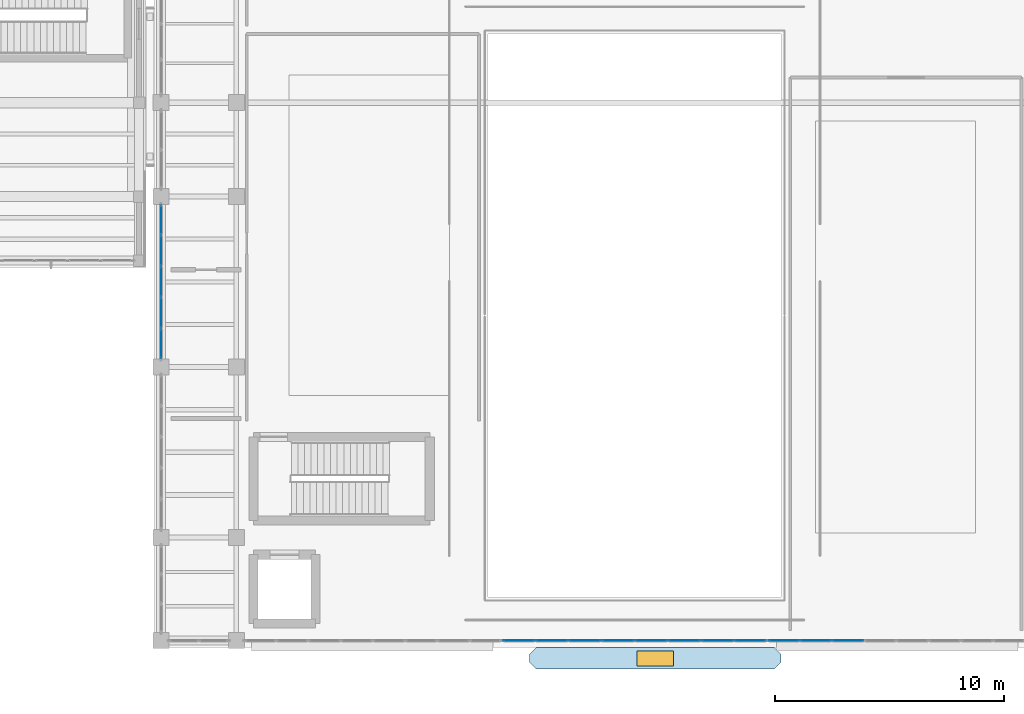
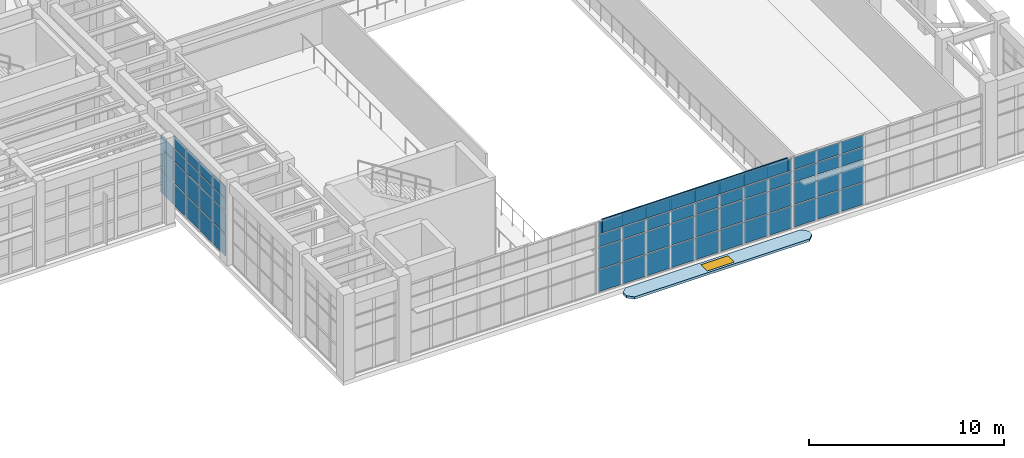
# One storey, part 74 of 103: 64 plates, 1 slab, 1 window, 1 opening, 3 elements without a shape of their own.
"""IFC4 building model written with IfcOpenShell, lengths in metres."""

from ifc_helpers import new_model, si_unit, direction, frame, origin, origin_2d, place, context, subcontext, project, spatial, polyline, rectangle, outline, extrude, material, layer, layer_set, type_object, element, fill, aggregate, save


model = new_model("IFC4")

# Units and contexts
model_context = context("Model", 3, precision=1e-05, world=origin(), true_north=direction((0.0, 1.0)))
body_context = subcontext(model_context, "Body", "Model", "MODEL_VIEW")
ifc_project = project(units=[si_unit("LENGTHUNIT", "METRE"), si_unit("AREAUNIT", "SQUARE_METRE"), si_unit("VOLUMEUNIT", "CUBIC_METRE"), si_unit("PLANEANGLEUNIT", "RADIAN"), si_unit("MASSUNIT", "GRAM", prefix="KILO")], contexts=[model_context])

# Site, building, storey
site_placement = place(None, origin())
site = spatial("IfcSite", under=ifc_project, at=site_placement, CompositionType="ELEMENT")
building_placement = place(site_placement, origin())
building = spatial("IfcBuilding", under=site, at=building_placement, Name="Candilejo Ridge Gondola Terminal", CompositionType="ELEMENT")
storey_placement = place(building_placement, frame((0.0, 0.0, 9.0)))
storey = spatial("IfcBuildingStorey", under=building, at=storey_placement, Name="L02", CompositionType="ELEMENT", Elevation=9.0)

# Curtain wall, plates
ifc_material_1 = material(Name="Anodised aluminium AA 6063-T6", Category="aluminium")
ifc_layer_1 = layer(ifc_material_1, 0.169921875)
ifc_layer_set_1 = layer_set([ifc_layer_1], Name="ARC-CW-HALL-3800-680X449")
curtain_wall_type_1 = type_object("IfcCurtainWallType", Name="ARC-CW-HALL-3800-680X449", PredefinedType="NOTDEFINED", material=ifc_layer_set_1)
curtain_wall_1_placement = place(storey_placement, origin())
curtain_wall_1 = element("IfcCurtainWall", 1, at=curtain_wall_1_placement, inside=storey, type_object=curtain_wall_type_1, Name="Curtain wall V4 L02-135", PredefinedType="NOTDEFINED")
ifc_material_2 = material(Name="Low-E laminated double glazing 6+12A+6+1.52PVB+6 mm", Category="glass")
ifc_layer_2 = layer(ifc_material_2, 0.028076171875)
ifc_layer_set_2 = layer_set([ifc_layer_2], Name="ARC-CW-GLAZ-PANEL")
plate_type_1 = type_object("IfcPlateType", Name="ARC-CW-GLAZ-PANEL", PredefinedType="CURTAIN_PANEL", material=ifc_layer_set_2)
plate_1_placement = place(storey_placement, frame((133.89990234375, 19.271240234375, 0.06005859375), z_axis=(0.0, 0.0, 1.0), x_axis=(0.0, 1.0, 0.0)))
plate_1 = element("IfcPlate", 2, at=plate_1_placement, type_object=plate_type_1, Name="CW-68X44 panel 1.1", PredefinedType="CURTAIN_PANEL", context=body_context, shape_type="SweptSolid", body=[
    extrude(rectangle(XDim=1.262451171875, YDim=0.028076171875, at=origin_2d()), origin(), (0.0, 0.0, 1.0), 1.360107421875),
])
plate_2_placement = place(storey_placement, frame((133.89990234375, 19.271240234375, 1.47998046875), z_axis=(0.0, 0.0, 1.0), x_axis=(0.0, 1.0, 0.0)))
plate_2 = element("IfcPlate", 3, at=plate_2_placement, type_object=plate_type_1, Name="CW-68X44 panel 1.2", PredefinedType="CURTAIN_PANEL", context=body_context, shape_type="SweptSolid", body=[
    extrude(rectangle(XDim=1.262451171875, YDim=0.028076171875, at=origin_2d()), origin(), (0.0, 0.0, 1.0), 1.340087890625),
])
plate_3_placement = place(storey_placement, frame((133.89990234375, 19.271240234375, 2.8798828125), z_axis=(0.0, 0.0, 1.0), x_axis=(0.0, 1.0, 0.0)))
plate_3 = element("IfcPlate", 4, at=plate_3_placement, type_object=plate_type_1, Name="CW-68X44 panel 1.3", PredefinedType="CURTAIN_PANEL", context=body_context, shape_type="SweptSolid", body=[
    extrude(rectangle(XDim=1.262451171875, YDim=0.028076171875, at=origin_2d()), origin(), (0.0, 0.0, 1.0), 0.739990234375),
])
plate_4_placement = place(storey_placement, frame((133.89990234375, 19.271240234375, 3.679931640625), z_axis=(0.0, 0.0, 1.0), x_axis=(0.0, 1.0, 0.0)))
plate_4 = element("IfcPlate", 5, at=plate_4_placement, type_object=plate_type_1, Name="CW-68X44 panel 1.4", PredefinedType="CURTAIN_PANEL", context=body_context, shape_type="SweptSolid", body=[
    extrude(rectangle(XDim=1.262451171875, YDim=0.028076171875, at=origin_2d()), origin(), (0.0, 0.0, 1.0), 0.75),
])
plate_5_placement = place(storey_placement, frame((133.89990234375, 20.614990234375, 0.06005859375), z_axis=(0.0, 0.0, 1.0), x_axis=(0.0, 1.0, 0.0)))
plate_5 = element("IfcPlate", 6, at=plate_5_placement, type_object=plate_type_1, Name="CW-68X44 panel 2.1", PredefinedType="CURTAIN_PANEL", context=body_context, shape_type="SweptSolid", body=[
    extrude(rectangle(XDim=1.294921875, YDim=0.028076171875, at=origin_2d()), origin(), (0.0, 0.0, 1.0), 1.360107421875),
])
plate_6_placement = place(storey_placement, frame((133.89990234375, 20.614990234375, 1.47998046875), z_axis=(0.0, 0.0, 1.0), x_axis=(0.0, 1.0, 0.0)))
plate_6 = element("IfcPlate", 7, at=plate_6_placement, type_object=plate_type_1, Name="CW-68X44 panel 2.2", PredefinedType="CURTAIN_PANEL", context=body_context, shape_type="SweptSolid", body=[
    extrude(rectangle(XDim=1.294921875, YDim=0.028076171875, at=origin_2d()), origin(), (0.0, 0.0, 1.0), 1.340087890625),
])
plate_7_placement = place(storey_placement, frame((133.89990234375, 20.614990234375, 2.8798828125), z_axis=(0.0, 0.0, 1.0), x_axis=(0.0, 1.0, 0.0)))
plate_7 = element("IfcPlate", 8, at=plate_7_placement, type_object=plate_type_1, Name="CW-68X44 panel 2.3", PredefinedType="CURTAIN_PANEL", context=body_context, shape_type="SweptSolid", body=[
    extrude(rectangle(XDim=1.294921875, YDim=0.028076171875, at=origin_2d()), origin(), (0.0, 0.0, 1.0), 0.739990234375),
])
plate_8_placement = place(storey_placement, frame((133.89990234375, 20.614990234375, 3.679931640625), z_axis=(0.0, 0.0, 1.0), x_axis=(0.0, 1.0, 0.0)))
plate_8 = element("IfcPlate", 9, at=plate_8_placement, type_object=plate_type_1, Name="CW-68X44 panel 2.4", PredefinedType="CURTAIN_PANEL", context=body_context, shape_type="SweptSolid", body=[
    extrude(rectangle(XDim=1.294921875, YDim=0.028076171875, at=origin_2d()), origin(), (0.0, 0.0, 1.0), 0.75),
])
plate_9_placement = place(storey_placement, frame((133.89990234375, 21.97509765625, 0.06005859375), z_axis=(0.0, 0.0, 1.0), x_axis=(0.0, 1.0, 0.0)))
plate_9 = element("IfcPlate", 10, at=plate_9_placement, type_object=plate_type_1, Name="CW-68X44 panel 3.1", PredefinedType="CURTAIN_PANEL", context=body_context, shape_type="SweptSolid", body=[
    extrude(rectangle(XDim=1.294921875, YDim=0.028076171875, at=origin_2d()), origin(), (0.0, 0.0, 1.0), 1.360107421875),
])
plate_10_placement = place(storey_placement, frame((133.89990234375, 21.97509765625, 1.47998046875), z_axis=(0.0, 0.0, 1.0), x_axis=(0.0, 1.0, 0.0)))
plate_10 = element("IfcPlate", 11, at=plate_10_placement, type_object=plate_type_1, Name="CW-68X44 panel 3.2", PredefinedType="CURTAIN_PANEL", context=body_context, shape_type="SweptSolid", body=[
    extrude(rectangle(XDim=1.294921875, YDim=0.028076171875, at=origin_2d()), origin(), (0.0, 0.0, 1.0), 1.340087890625),
])
plate_11_placement = place(storey_placement, frame((133.89990234375, 21.97509765625, 2.8798828125), z_axis=(0.0, 0.0, 1.0), x_axis=(0.0, 1.0, 0.0)))
plate_11 = element("IfcPlate", 12, at=plate_11_placement, type_object=plate_type_1, Name="CW-68X44 panel 3.3", PredefinedType="CURTAIN_PANEL", context=body_context, shape_type="SweptSolid", body=[
    extrude(rectangle(XDim=1.294921875, YDim=0.028076171875, at=origin_2d()), origin(), (0.0, 0.0, 1.0), 0.739990234375),
])
plate_12_placement = place(storey_placement, frame((133.89990234375, 21.97509765625, 3.679931640625), z_axis=(0.0, 0.0, 1.0), x_axis=(0.0, 1.0, 0.0)))
plate_12 = element("IfcPlate", 13, at=plate_12_placement, type_object=plate_type_1, Name="CW-68X44 panel 3.4", PredefinedType="CURTAIN_PANEL", context=body_context, shape_type="SweptSolid", body=[
    extrude(rectangle(XDim=1.294921875, YDim=0.028076171875, at=origin_2d()), origin(), (0.0, 0.0, 1.0), 0.75),
])
plate_13_placement = place(storey_placement, frame((133.89990234375, 23.3349609375, 0.06005859375), z_axis=(0.0, 0.0, 1.0), x_axis=(0.0, 1.0, 0.0)))
plate_13 = element("IfcPlate", 14, at=plate_13_placement, type_object=plate_type_1, Name="CW-68X44 panel 4.1", PredefinedType="CURTAIN_PANEL", context=body_context, shape_type="SweptSolid", body=[
    extrude(rectangle(XDim=1.294921875, YDim=0.028076171875, at=origin_2d()), origin(), (0.0, 0.0, 1.0), 1.360107421875),
])
plate_14_placement = place(storey_placement, frame((133.89990234375, 23.3349609375, 1.47998046875), z_axis=(0.0, 0.0, 1.0), x_axis=(0.0, 1.0, 0.0)))
plate_14 = element("IfcPlate", 15, at=plate_14_placement, type_object=plate_type_1, Name="CW-68X44 panel 4.2", PredefinedType="CURTAIN_PANEL", context=body_context, shape_type="SweptSolid", body=[
    extrude(rectangle(XDim=1.294921875, YDim=0.028076171875, at=origin_2d()), origin(), (0.0, 0.0, 1.0), 1.340087890625),
])
plate_15_placement = place(storey_placement, frame((133.89990234375, 23.3349609375, 2.8798828125), z_axis=(0.0, 0.0, 1.0), x_axis=(0.0, 1.0, 0.0)))
plate_15 = element("IfcPlate", 16, at=plate_15_placement, type_object=plate_type_1, Name="CW-68X44 panel 4.3", PredefinedType="CURTAIN_PANEL", context=body_context, shape_type="SweptSolid", body=[
    extrude(rectangle(XDim=1.294921875, YDim=0.028076171875, at=origin_2d()), origin(), (0.0, 0.0, 1.0), 0.739990234375),
])
plate_16_placement = place(storey_placement, frame((133.89990234375, 23.3349609375, 3.679931640625), z_axis=(0.0, 0.0, 1.0), x_axis=(0.0, 1.0, 0.0)))
plate_16 = element("IfcPlate", 17, at=plate_16_placement, type_object=plate_type_1, Name="CW-68X44 panel 4.4", PredefinedType="CURTAIN_PANEL", context=body_context, shape_type="SweptSolid", body=[
    extrude(rectangle(XDim=1.294921875, YDim=0.028076171875, at=origin_2d()), origin(), (0.0, 0.0, 1.0), 0.75),
])
plate_17_placement = place(storey_placement, frame((133.89990234375, 24.6787109375, 0.06005859375), z_axis=(0.0, 0.0, 1.0), x_axis=(0.0, 1.0, 0.0)))
plate_17 = element("IfcPlate", 18, at=plate_17_placement, type_object=plate_type_1, Name="CW-68X44 panel 5.1", PredefinedType="CURTAIN_PANEL", context=body_context, shape_type="SweptSolid", body=[
    extrude(rectangle(XDim=1.262451171875, YDim=0.028076171875, at=origin_2d()), origin(), (0.0, 0.0, 1.0), 1.360107421875),
])
plate_18_placement = place(storey_placement, frame((133.89990234375, 24.6787109375, 1.47998046875), z_axis=(0.0, 0.0, 1.0), x_axis=(0.0, 1.0, 0.0)))
plate_18 = element("IfcPlate", 19, at=plate_18_placement, type_object=plate_type_1, Name="CW-68X44 panel 5.2", PredefinedType="CURTAIN_PANEL", context=body_context, shape_type="SweptSolid", body=[
    extrude(rectangle(XDim=1.262451171875, YDim=0.028076171875, at=origin_2d()), origin(), (0.0, 0.0, 1.0), 1.340087890625),
])
plate_19_placement = place(storey_placement, frame((133.89990234375, 24.6787109375, 2.8798828125), z_axis=(0.0, 0.0, 1.0), x_axis=(0.0, 1.0, 0.0)))
plate_19 = element("IfcPlate", 20, at=plate_19_placement, type_object=plate_type_1, Name="CW-68X44 panel 5.3", PredefinedType="CURTAIN_PANEL", context=body_context, shape_type="SweptSolid", body=[
    extrude(rectangle(XDim=1.262451171875, YDim=0.028076171875, at=origin_2d()), origin(), (0.0, 0.0, 1.0), 0.739990234375),
])
aggregate(curtain_wall_1, [plate_1, plate_2, plate_3, plate_4, plate_5, plate_6, plate_7, plate_8, plate_9, plate_10, plate_11, plate_12, plate_13, plate_14, plate_15, plate_16, plate_17, plate_18, plate_19])

ifc_material_3 = material(Name="Anodised aluminium AA 6063-T6", Category="aluminium")
ifc_layer_3 = layer(ifc_material_3, 0.169921875)
ifc_layer_set_3 = layer_set([ifc_layer_3], Name="ARC-CW-HALL-3800-1160X449")
curtain_wall_type_2 = type_object("IfcCurtainWallType", Name="ARC-CW-HALL-3800-1160X449", PredefinedType="NOTDEFINED", material=ifc_layer_set_3)
curtain_wall_2_placement = place(storey_placement, origin())
curtain_wall_2 = element("IfcCurtainWall", 21, at=curtain_wall_2_placement, inside=storey, type_object=curtain_wall_type_2, Name="Curtain wall V4 L02-147", PredefinedType="NOTDEFINED")
plate_20_placement = place(storey_placement, frame((149.541259765625, 6.300048828125, 0.06005859375), z_axis=(0.0, 0.0, 1.0), x_axis=(1.0, 0.0, 0.0)))
plate_20 = element("IfcPlate", 22, at=plate_20_placement, type_object=plate_type_1, Name="CW-116X44 panel 1.1", PredefinedType="CURTAIN_PANEL", context=body_context, shape_type="SweptSolid", body=[
    extrude(rectangle(XDim=1.3525390625, YDim=0.028076171875, at=origin_2d()), origin(), (0.0, 0.0, 1.0), 1.360107421875),
])
plate_21_placement = place(storey_placement, frame((149.541259765625, 6.300048828125, 1.47998046875), z_axis=(0.0, 0.0, 1.0), x_axis=(1.0, 0.0, 0.0)))
plate_21 = element("IfcPlate", 23, at=plate_21_placement, type_object=plate_type_1, Name="CW-116X44 panel 1.2", PredefinedType="CURTAIN_PANEL", context=body_context, shape_type="SweptSolid", body=[
    extrude(rectangle(XDim=1.3525390625, YDim=0.028076171875, at=origin_2d()), origin(), (0.0, 0.0, 1.0), 1.340087890625),
])
plate_22_placement = place(storey_placement, frame((149.541259765625, 6.300048828125, 2.8798828125), z_axis=(0.0, 0.0, 1.0), x_axis=(1.0, 0.0, 0.0)))
plate_22 = element("IfcPlate", 24, at=plate_22_placement, type_object=plate_type_1, Name="CW-116X44 panel 1.3", PredefinedType="CURTAIN_PANEL", context=body_context, shape_type="SweptSolid", body=[
    extrude(rectangle(XDim=1.3525390625, YDim=0.028076171875, at=origin_2d()), origin(), (0.0, 0.0, 1.0), 0.739990234375),
])
plate_23_placement = place(storey_placement, frame((149.541259765625, 6.300048828125, 3.679931640625), z_axis=(0.0, 0.0, 1.0), x_axis=(1.0, 0.0, 0.0)))
plate_23 = element("IfcPlate", 25, at=plate_23_placement, type_object=plate_type_1, Name="CW-116X44 panel 1.4", PredefinedType="CURTAIN_PANEL", context=body_context, shape_type="SweptSolid", body=[
    extrude(rectangle(XDim=1.3525390625, YDim=0.028076171875, at=origin_2d()), origin(), (0.0, 0.0, 1.0), 0.75),
])
plate_24_placement = place(storey_placement, frame((150.97509765625, 6.300048828125, 0.06005859375), z_axis=(0.0, 0.0, 1.0), x_axis=(1.0, 0.0, 0.0)))
plate_24 = element("IfcPlate", 26, at=plate_24_placement, type_object=plate_type_1, Name="CW-116X44 panel 2.1", PredefinedType="CURTAIN_PANEL", context=body_context, shape_type="SweptSolid", body=[
    extrude(rectangle(XDim=1.385009765625, YDim=0.028076171875, at=origin_2d()), origin(), (0.0, 0.0, 1.0), 1.360107421875),
])
plate_25_placement = place(storey_placement, frame((150.97509765625, 6.300048828125, 1.47998046875), z_axis=(0.0, 0.0, 1.0), x_axis=(1.0, 0.0, 0.0)))
plate_25 = element("IfcPlate", 27, at=plate_25_placement, type_object=plate_type_1, Name="CW-116X44 panel 2.2", PredefinedType="CURTAIN_PANEL", context=body_context, shape_type="SweptSolid", body=[
    extrude(rectangle(XDim=1.385009765625, YDim=0.028076171875, at=origin_2d()), origin(), (0.0, 0.0, 1.0), 1.340087890625),
])
plate_26_placement = place(storey_placement, frame((150.97509765625, 6.300048828125, 2.8798828125), z_axis=(0.0, 0.0, 1.0), x_axis=(1.0, 0.0, 0.0)))
plate_26 = element("IfcPlate", 28, at=plate_26_placement, type_object=plate_type_1, Name="CW-116X44 panel 2.3", PredefinedType="CURTAIN_PANEL", context=body_context, shape_type="SweptSolid", body=[
    extrude(rectangle(XDim=1.385009765625, YDim=0.028076171875, at=origin_2d()), origin(), (0.0, 0.0, 1.0), 0.739990234375),
])
plate_27_placement = place(storey_placement, frame((150.97509765625, 6.300048828125, 3.679931640625), z_axis=(0.0, 0.0, 1.0), x_axis=(1.0, 0.0, 0.0)))
plate_27 = element("IfcPlate", 29, at=plate_27_placement, type_object=plate_type_1, Name="CW-116X44 panel 2.4", PredefinedType="CURTAIN_PANEL", context=body_context, shape_type="SweptSolid", body=[
    extrude(rectangle(XDim=1.385009765625, YDim=0.028076171875, at=origin_2d()), origin(), (0.0, 0.0, 1.0), 0.75),
])
plate_28_placement = place(storey_placement, frame((152.425048828125, 6.300048828125, 0.06005859375), z_axis=(0.0, 0.0, 1.0), x_axis=(1.0, 0.0, 0.0)))
plate_28 = element("IfcPlate", 30, at=plate_28_placement, type_object=plate_type_1, Name="CW-116X44 panel 3.1", PredefinedType="CURTAIN_PANEL", context=body_context, shape_type="SweptSolid", body=[
    extrude(rectangle(XDim=1.385009765625, YDim=0.028076171875, at=origin_2d()), origin(), (0.0, 0.0, 1.0), 1.360107421875),
])
plate_29_placement = place(storey_placement, frame((152.425048828125, 6.300048828125, 1.47998046875), z_axis=(0.0, 0.0, 1.0), x_axis=(1.0, 0.0, 0.0)))
plate_29 = element("IfcPlate", 31, at=plate_29_placement, type_object=plate_type_1, Name="CW-116X44 panel 3.2", PredefinedType="CURTAIN_PANEL", context=body_context, shape_type="SweptSolid", body=[
    extrude(rectangle(XDim=1.385009765625, YDim=0.028076171875, at=origin_2d()), origin(), (0.0, 0.0, 1.0), 1.340087890625),
])
plate_30_placement = place(storey_placement, frame((152.425048828125, 6.300048828125, 2.8798828125), z_axis=(0.0, 0.0, 1.0), x_axis=(1.0, 0.0, 0.0)))
plate_30 = element("IfcPlate", 32, at=plate_30_placement, type_object=plate_type_1, Name="CW-116X44 panel 3.3", PredefinedType="CURTAIN_PANEL", context=body_context, shape_type="SweptSolid", body=[
    extrude(rectangle(XDim=1.385009765625, YDim=0.028076171875, at=origin_2d()), origin(), (0.0, 0.0, 1.0), 0.739990234375),
])
plate_31_placement = place(storey_placement, frame((152.425048828125, 6.300048828125, 3.679931640625), z_axis=(0.0, 0.0, 1.0), x_axis=(1.0, 0.0, 0.0)))
plate_31 = element("IfcPlate", 33, at=plate_31_placement, type_object=plate_type_1, Name="CW-116X44 panel 3.4", PredefinedType="CURTAIN_PANEL", context=body_context, shape_type="SweptSolid", body=[
    extrude(rectangle(XDim=1.385009765625, YDim=0.028076171875, at=origin_2d()), origin(), (0.0, 0.0, 1.0), 0.75),
])
plate_32_placement = place(storey_placement, frame((153.875, 6.300048828125, 0.06005859375), z_axis=(0.0, 0.0, 1.0), x_axis=(1.0, 0.0, 0.0)))
plate_32 = element("IfcPlate", 34, at=plate_32_placement, type_object=plate_type_1, Name="CW-116X44 panel 4.1", PredefinedType="CURTAIN_PANEL", context=body_context, shape_type="SweptSolid", body=[
    extrude(rectangle(XDim=1.385009765625, YDim=0.028076171875, at=origin_2d()), origin(), (0.0, 0.0, 1.0), 1.360107421875),
])
plate_33_placement = place(storey_placement, frame((153.875, 6.300048828125, 1.47998046875), z_axis=(0.0, 0.0, 1.0), x_axis=(1.0, 0.0, 0.0)))
plate_33 = element("IfcPlate", 35, at=plate_33_placement, type_object=plate_type_1, Name="CW-116X44 panel 4.2", PredefinedType="CURTAIN_PANEL", context=body_context, shape_type="SweptSolid", body=[
    extrude(rectangle(XDim=1.385009765625, YDim=0.028076171875, at=origin_2d()), origin(), (0.0, 0.0, 1.0), 1.340087890625),
])
plate_34_placement = place(storey_placement, frame((153.875, 6.300048828125, 2.8798828125), z_axis=(0.0, 0.0, 1.0), x_axis=(1.0, 0.0, 0.0)))
plate_34 = element("IfcPlate", 36, at=plate_34_placement, type_object=plate_type_1, Name="CW-116X44 panel 4.3", PredefinedType="CURTAIN_PANEL", context=body_context, shape_type="SweptSolid", body=[
    extrude(rectangle(XDim=1.385009765625, YDim=0.028076171875, at=origin_2d()), origin(), (0.0, 0.0, 1.0), 0.739990234375),
])
plate_35_placement = place(storey_placement, frame((153.875, 6.300048828125, 3.679931640625), z_axis=(0.0, 0.0, 1.0), x_axis=(1.0, 0.0, 0.0)))
plate_35 = element("IfcPlate", 37, at=plate_35_placement, type_object=plate_type_1, Name="CW-116X44 panel 4.4", PredefinedType="CURTAIN_PANEL", context=body_context, shape_type="SweptSolid", body=[
    extrude(rectangle(XDim=1.385009765625, YDim=0.028076171875, at=origin_2d()), origin(), (0.0, 0.0, 1.0), 0.75),
])
plate_36_placement = place(storey_placement, frame((155.324951171875, 6.300048828125, 0.06005859375), z_axis=(0.0, 0.0, 1.0), x_axis=(1.0, 0.0, 0.0)))
plate_36 = element("IfcPlate", 38, at=plate_36_placement, type_object=plate_type_1, Name="CW-116X44 panel 5.1", PredefinedType="CURTAIN_PANEL", context=body_context, shape_type="SweptSolid", body=[
    extrude(rectangle(XDim=1.385009765625, YDim=0.028076171875, at=origin_2d()), origin(), (0.0, 0.0, 1.0), 1.360107421875),
])
plate_37_placement = place(storey_placement, frame((155.324951171875, 6.300048828125, 1.47998046875), z_axis=(0.0, 0.0, 1.0), x_axis=(1.0, 0.0, 0.0)))
plate_37 = element("IfcPlate", 39, at=plate_37_placement, type_object=plate_type_1, Name="CW-116X44 panel 5.2", PredefinedType="CURTAIN_PANEL", context=body_context, shape_type="SweptSolid", body=[
    extrude(rectangle(XDim=1.385009765625, YDim=0.028076171875, at=origin_2d()), origin(), (0.0, 0.0, 1.0), 1.340087890625),
])
plate_38_placement = place(storey_placement, frame((155.324951171875, 6.300048828125, 2.8798828125), z_axis=(0.0, 0.0, 1.0), x_axis=(1.0, 0.0, 0.0)))
plate_38 = element("IfcPlate", 40, at=plate_38_placement, type_object=plate_type_1, Name="CW-116X44 panel 5.3", PredefinedType="CURTAIN_PANEL", context=body_context, shape_type="SweptSolid", body=[
    extrude(rectangle(XDim=1.385009765625, YDim=0.028076171875, at=origin_2d()), origin(), (0.0, 0.0, 1.0), 0.739990234375),
])
plate_39_placement = place(storey_placement, frame((155.324951171875, 6.300048828125, 3.679931640625), z_axis=(0.0, 0.0, 1.0), x_axis=(1.0, 0.0, 0.0)))
plate_39 = element("IfcPlate", 41, at=plate_39_placement, type_object=plate_type_1, Name="CW-116X44 panel 5.4", PredefinedType="CURTAIN_PANEL", context=body_context, shape_type="SweptSolid", body=[
    extrude(rectangle(XDim=1.385009765625, YDim=0.028076171875, at=origin_2d()), origin(), (0.0, 0.0, 1.0), 0.75),
])
plate_40_placement = place(storey_placement, frame((156.77490234375, 6.300048828125, 0.06005859375), z_axis=(0.0, 0.0, 1.0), x_axis=(1.0, 0.0, 0.0)))
plate_40 = element("IfcPlate", 42, at=plate_40_placement, type_object=plate_type_1, Name="CW-116X44 panel 6.1", PredefinedType="CURTAIN_PANEL", context=body_context, shape_type="SweptSolid", body=[
    extrude(rectangle(XDim=1.385009765625, YDim=0.028076171875, at=origin_2d()), origin(), (0.0, 0.0, 1.0), 1.360107421875),
])
plate_41_placement = place(storey_placement, frame((156.77490234375, 6.300048828125, 1.47998046875), z_axis=(0.0, 0.0, 1.0), x_axis=(1.0, 0.0, 0.0)))
plate_41 = element("IfcPlate", 43, at=plate_41_placement, type_object=plate_type_1, Name="CW-116X44 panel 6.2", PredefinedType="CURTAIN_PANEL", context=body_context, shape_type="SweptSolid", body=[
    extrude(rectangle(XDim=1.385009765625, YDim=0.028076171875, at=origin_2d()), origin(), (0.0, 0.0, 1.0), 1.340087890625),
])
plate_42_placement = place(storey_placement, frame((156.77490234375, 6.300048828125, 2.8798828125), z_axis=(0.0, 0.0, 1.0), x_axis=(1.0, 0.0, 0.0)))
plate_42 = element("IfcPlate", 44, at=plate_42_placement, type_object=plate_type_1, Name="CW-116X44 panel 6.3", PredefinedType="CURTAIN_PANEL", context=body_context, shape_type="SweptSolid", body=[
    extrude(rectangle(XDim=1.385009765625, YDim=0.028076171875, at=origin_2d()), origin(), (0.0, 0.0, 1.0), 0.739990234375),
])
plate_43_placement = place(storey_placement, frame((156.77490234375, 6.300048828125, 3.679931640625), z_axis=(0.0, 0.0, 1.0), x_axis=(1.0, 0.0, 0.0)))
plate_43 = element("IfcPlate", 45, at=plate_43_placement, type_object=plate_type_1, Name="CW-116X44 panel 6.4", PredefinedType="CURTAIN_PANEL", context=body_context, shape_type="SweptSolid", body=[
    extrude(rectangle(XDim=1.385009765625, YDim=0.028076171875, at=origin_2d()), origin(), (0.0, 0.0, 1.0), 0.75),
])
plate_44_placement = place(storey_placement, frame((158.22509765625, 6.300048828125, 0.06005859375), z_axis=(0.0, 0.0, 1.0), x_axis=(1.0, 0.0, 0.0)))
plate_44 = element("IfcPlate", 46, at=plate_44_placement, type_object=plate_type_1, Name="CW-116X44 panel 7.1", PredefinedType="CURTAIN_PANEL", context=body_context, shape_type="SweptSolid", body=[
    extrude(rectangle(XDim=1.385009765625, YDim=0.028076171875, at=origin_2d()), origin(), (0.0, 0.0, 1.0), 1.360107421875),
])
plate_45_placement = place(storey_placement, frame((158.22509765625, 6.300048828125, 1.47998046875), z_axis=(0.0, 0.0, 1.0), x_axis=(1.0, 0.0, 0.0)))
plate_45 = element("IfcPlate", 47, at=plate_45_placement, type_object=plate_type_1, Name="CW-116X44 panel 7.2", PredefinedType="CURTAIN_PANEL", context=body_context, shape_type="SweptSolid", body=[
    extrude(rectangle(XDim=1.385009765625, YDim=0.028076171875, at=origin_2d()), origin(), (0.0, 0.0, 1.0), 1.340087890625),
])
plate_46_placement = place(storey_placement, frame((158.22509765625, 6.300048828125, 2.8798828125), z_axis=(0.0, 0.0, 1.0), x_axis=(1.0, 0.0, 0.0)))
plate_46 = element("IfcPlate", 48, at=plate_46_placement, type_object=plate_type_1, Name="CW-116X44 panel 7.3", PredefinedType="CURTAIN_PANEL", context=body_context, shape_type="SweptSolid", body=[
    extrude(rectangle(XDim=1.385009765625, YDim=0.028076171875, at=origin_2d()), origin(), (0.0, 0.0, 1.0), 0.739990234375),
])
plate_47_placement = place(storey_placement, frame((158.22509765625, 6.300048828125, 3.679931640625), z_axis=(0.0, 0.0, 1.0), x_axis=(1.0, 0.0, 0.0)))
plate_47 = element("IfcPlate", 49, at=plate_47_placement, type_object=plate_type_1, Name="CW-116X44 panel 7.4", PredefinedType="CURTAIN_PANEL", context=body_context, shape_type="SweptSolid", body=[
    extrude(rectangle(XDim=1.385009765625, YDim=0.028076171875, at=origin_2d()), origin(), (0.0, 0.0, 1.0), 0.75),
])
plate_48_placement = place(storey_placement, frame((159.65869140625, 6.300048828125, 0.06005859375), z_axis=(0.0, 0.0, 1.0), x_axis=(1.0, 0.0, 0.0)))
plate_48 = element("IfcPlate", 50, at=plate_48_placement, type_object=plate_type_1, Name="CW-116X44 panel 8.1", PredefinedType="CURTAIN_PANEL", context=body_context, shape_type="SweptSolid", body=[
    extrude(rectangle(XDim=1.3525390625, YDim=0.028076171875, at=origin_2d()), origin(), (0.0, 0.0, 1.0), 1.360107421875),
])
plate_49_placement = place(storey_placement, frame((159.65869140625, 6.300048828125, 1.47998046875), z_axis=(0.0, 0.0, 1.0), x_axis=(1.0, 0.0, 0.0)))
plate_49 = element("IfcPlate", 51, at=plate_49_placement, type_object=plate_type_1, Name="CW-116X44 panel 8.2", PredefinedType="CURTAIN_PANEL", context=body_context, shape_type="SweptSolid", body=[
    extrude(rectangle(XDim=1.3525390625, YDim=0.028076171875, at=origin_2d()), origin(), (0.0, 0.0, 1.0), 1.340087890625),
])
plate_50_placement = place(storey_placement, frame((159.65869140625, 6.300048828125, 2.8798828125), z_axis=(0.0, 0.0, 1.0), x_axis=(1.0, 0.0, 0.0)))
plate_50 = element("IfcPlate", 52, at=plate_50_placement, type_object=plate_type_1, Name="CW-116X44 panel 8.3", PredefinedType="CURTAIN_PANEL", context=body_context, shape_type="SweptSolid", body=[
    extrude(rectangle(XDim=1.3525390625, YDim=0.028076171875, at=origin_2d()), origin(), (0.0, 0.0, 1.0), 0.739990234375),
])
plate_51_placement = place(storey_placement, frame((159.65869140625, 6.300048828125, 3.679931640625), z_axis=(0.0, 0.0, 1.0), x_axis=(1.0, 0.0, 0.0)))
plate_51 = element("IfcPlate", 53, at=plate_51_placement, type_object=plate_type_1, Name="CW-116X44 panel 8.4", PredefinedType="CURTAIN_PANEL", context=body_context, shape_type="SweptSolid", body=[
    extrude(rectangle(XDim=1.3525390625, YDim=0.028076171875, at=origin_2d()), origin(), (0.0, 0.0, 1.0), 0.75),
])
aggregate(curtain_wall_2, [plate_20, plate_21, plate_22, plate_23, plate_24, plate_25, plate_26, plate_27, plate_28, plate_29, plate_30, plate_31, plate_32, plate_33, plate_34, plate_35, plate_36, plate_37, plate_38, plate_39, plate_40, plate_41, plate_42, plate_43, plate_44, plate_45, plate_46, plate_47, plate_48, plate_49, plate_50, plate_51])

ifc_material_4 = material(Name="Anodised aluminium AA 6063-T6", Category="aluminium")
ifc_layer_4 = layer(ifc_material_4, 0.169921875)
ifc_layer_set_4 = layer_set([ifc_layer_4], Name="ARC-CW-HALL-3800-1128X449")
curtain_wall_type_3 = type_object("IfcCurtainWallType", Name="ARC-CW-HALL-3800-1128X449", PredefinedType="NOTDEFINED", material=ifc_layer_set_4)
curtain_wall_3_placement = place(storey_placement, origin())
curtain_wall_3 = element("IfcCurtainWall", 54, at=curtain_wall_3_placement, inside=storey, type_object=curtain_wall_type_3, Name="Curtain wall V4 L02-148", PredefinedType="NOTDEFINED")
plate_52_placement = place(storey_placement, frame((161.120849609375, 6.300048828125, 0.06005859375), z_axis=(0.0, 0.0, 1.0), x_axis=(1.0, 0.0, 0.0)))
plate_52 = element("IfcPlate", 55, at=plate_52_placement, type_object=plate_type_1, Name="CW-112X44 panel 1.1", PredefinedType="CURTAIN_PANEL", context=body_context, shape_type="SweptSolid", body=[
    extrude(rectangle(XDim=1.311767578125, YDim=0.028076171875, at=origin_2d()), origin(), (0.0, 0.0, 1.0), 1.360107421875),
])
plate_53_placement = place(storey_placement, frame((161.120849609375, 6.300048828125, 1.47998046875), z_axis=(0.0, 0.0, 1.0), x_axis=(1.0, 0.0, 0.0)))
plate_53 = element("IfcPlate", 56, at=plate_53_placement, type_object=plate_type_1, Name="CW-112X44 panel 1.2", PredefinedType="CURTAIN_PANEL", context=body_context, shape_type="SweptSolid", body=[
    extrude(rectangle(XDim=1.311767578125, YDim=0.028076171875, at=origin_2d()), origin(), (0.0, 0.0, 1.0), 1.340087890625),
])
plate_54_placement = place(storey_placement, frame((161.120849609375, 6.300048828125, 2.8798828125), z_axis=(0.0, 0.0, 1.0), x_axis=(1.0, 0.0, 0.0)))
plate_54 = element("IfcPlate", 57, at=plate_54_placement, type_object=plate_type_1, Name="CW-112X44 panel 1.3", PredefinedType="CURTAIN_PANEL", context=body_context, shape_type="SweptSolid", body=[
    extrude(rectangle(XDim=1.311767578125, YDim=0.028076171875, at=origin_2d()), origin(), (0.0, 0.0, 1.0), 0.739990234375),
])
plate_55_placement = place(storey_placement, frame((161.120849609375, 6.300048828125, 3.679931640625), z_axis=(0.0, 0.0, 1.0), x_axis=(1.0, 0.0, 0.0)))
plate_55 = element("IfcPlate", 58, at=plate_55_placement, type_object=plate_type_1, Name="CW-112X44 panel 1.4", PredefinedType="CURTAIN_PANEL", context=body_context, shape_type="SweptSolid", body=[
    extrude(rectangle(XDim=1.311767578125, YDim=0.028076171875, at=origin_2d()), origin(), (0.0, 0.0, 1.0), 0.75),
])
plate_56_placement = place(storey_placement, frame((162.51416015625, 6.300048828125, 0.06005859375), z_axis=(0.0, 0.0, 1.0), x_axis=(1.0, 0.0, 0.0)))
plate_56 = element("IfcPlate", 59, at=plate_56_placement, type_object=plate_type_1, Name="CW-112X44 panel 2.1", PredefinedType="CURTAIN_PANEL", context=body_context, shape_type="SweptSolid", body=[
    extrude(rectangle(XDim=1.344482421875, YDim=0.028076171875, at=origin_2d()), origin(), (0.0, 0.0, 1.0), 1.360107421875),
])
plate_57_placement = place(storey_placement, frame((162.51416015625, 6.300048828125, 1.47998046875), z_axis=(0.0, 0.0, 1.0), x_axis=(1.0, 0.0, 0.0)))
plate_57 = element("IfcPlate", 60, at=plate_57_placement, type_object=plate_type_1, Name="CW-112X44 panel 2.2", PredefinedType="CURTAIN_PANEL", context=body_context, shape_type="SweptSolid", body=[
    extrude(rectangle(XDim=1.344482421875, YDim=0.028076171875, at=origin_2d()), origin(), (0.0, 0.0, 1.0), 1.340087890625),
])
plate_58_placement = place(storey_placement, frame((162.51416015625, 6.300048828125, 2.8798828125), z_axis=(0.0, 0.0, 1.0), x_axis=(1.0, 0.0, 0.0)))
plate_58 = element("IfcPlate", 61, at=plate_58_placement, type_object=plate_type_1, Name="CW-112X44 panel 2.3", PredefinedType="CURTAIN_PANEL", context=body_context, shape_type="SweptSolid", body=[
    extrude(rectangle(XDim=1.344482421875, YDim=0.028076171875, at=origin_2d()), origin(), (0.0, 0.0, 1.0), 0.739990234375),
])
plate_59_placement = place(storey_placement, frame((162.51416015625, 6.300048828125, 3.679931640625), z_axis=(0.0, 0.0, 1.0), x_axis=(1.0, 0.0, 0.0)))
plate_59 = element("IfcPlate", 62, at=plate_59_placement, type_object=plate_type_1, Name="CW-112X44 panel 2.4", PredefinedType="CURTAIN_PANEL", context=body_context, shape_type="SweptSolid", body=[
    extrude(rectangle(XDim=1.344482421875, YDim=0.028076171875, at=origin_2d()), origin(), (0.0, 0.0, 1.0), 0.75),
])
plate_60_placement = place(storey_placement, frame((163.92333984375, 6.300048828125, 0.06005859375), z_axis=(0.0, 0.0, 1.0), x_axis=(1.0, 0.0, 0.0)))
plate_60 = element("IfcPlate", 63, at=plate_60_placement, type_object=plate_type_1, Name="CW-112X44 panel 3.1", PredefinedType="CURTAIN_PANEL", context=body_context, shape_type="SweptSolid", body=[
    extrude(rectangle(XDim=1.344482421875, YDim=0.028076171875, at=origin_2d()), origin(), (0.0, 0.0, 1.0), 1.360107421875),
])
plate_61_placement = place(storey_placement, frame((163.92333984375, 6.300048828125, 1.47998046875), z_axis=(0.0, 0.0, 1.0), x_axis=(1.0, 0.0, 0.0)))
plate_61 = element("IfcPlate", 64, at=plate_61_placement, type_object=plate_type_1, Name="CW-112X44 panel 3.2", PredefinedType="CURTAIN_PANEL", context=body_context, shape_type="SweptSolid", body=[
    extrude(rectangle(XDim=1.344482421875, YDim=0.028076171875, at=origin_2d()), origin(), (0.0, 0.0, 1.0), 1.340087890625),
])
plate_62_placement = place(storey_placement, frame((163.92333984375, 6.300048828125, 2.8798828125), z_axis=(0.0, 0.0, 1.0), x_axis=(1.0, 0.0, 0.0)))
plate_62 = element("IfcPlate", 65, at=plate_62_placement, type_object=plate_type_1, Name="CW-112X44 panel 3.3", PredefinedType="CURTAIN_PANEL", context=body_context, shape_type="SweptSolid", body=[
    extrude(rectangle(XDim=1.344482421875, YDim=0.028076171875, at=origin_2d()), origin(), (0.0, 0.0, 1.0), 0.739990234375),
])
plate_63_placement = place(storey_placement, frame((163.92333984375, 6.300048828125, 3.679931640625), z_axis=(0.0, 0.0, 1.0), x_axis=(1.0, 0.0, 0.0)))
plate_63 = element("IfcPlate", 66, at=plate_63_placement, type_object=plate_type_1, Name="CW-112X44 panel 3.4", PredefinedType="CURTAIN_PANEL", context=body_context, shape_type="SweptSolid", body=[
    extrude(rectangle(XDim=1.344482421875, YDim=0.028076171875, at=origin_2d()), origin(), (0.0, 0.0, 1.0), 0.75),
])
aggregate(curtain_wall_3, [plate_52, plate_53, plate_54, plate_55, plate_56, plate_57, plate_58, plate_59, plate_60, plate_61, plate_62, plate_63])

# Plate
ifc_material_5 = material(Name="Insulated aluminium spandrel panel 60 mm", Category="aluminium")
ifc_layer_5 = layer(ifc_material_5, 0.070068359375)
ifc_layer_set_5 = layer_set([ifc_layer_5], Name="ARC-SPANDREL-V4-L02")
plate_type_2 = type_object("IfcPlateType", Name="ARC-SPANDREL-V4-L02", PredefinedType="SHEET", material=ifc_layer_set_5)
plate_64_placement = place(storey_placement, frame((154.60009765625, 6.300048828125, 3.699951171875), z_axis=(0.0, 0.0, 1.0), x_axis=(1.0, 0.0, 0.0)))
element("IfcPlate", 67, at=plate_64_placement, inside=storey, type_object=plate_type_2, Name="Spandrel band SP-42", PredefinedType="SHEET", context=body_context, shape_type="SweptSolid", body=[
    extrude(rectangle(XDim=11.0, YDim=0.070068359375, at=origin_2d()), origin(), (0.0, 0.0, 1.0), 0.85009765625),
])

# Slab, opening, window
ifc_material_6 = material(Name="Concrete f'c 35 MPa (C35/45)", Category="concrete")
ifc_layer_6 = layer(ifc_material_6, 0.14990234375)
ifc_layer_set_6 = layer_set([ifc_layer_6], Name="STR-CANOPY-DECK-150")
slab_type = type_object("IfcSlabType", Name="STR-CANOPY-DECK-150", PredefinedType="USERDEFINED", material=ifc_layer_set_6)
slab_placement = place(storey_placement, frame((0.0, 0.0, -0.14990234375)))
slab = element("IfcSlab", 68, at=slab_placement, inside=storey, type_object=slab_type, Name="Slab CN-V4-PORTAL", ObjectType="CANOPY DECK", PredefinedType="USERDEFINED", context=body_context, shape_type="SweptSolid", body=[
    extrude(outline(polyline([(150.303955078125, 5.050048828125), (160.696044921875, 5.050048828125), (161.0, 5.35400390625), (161.0, 5.696044921875), (160.696044921875, 6.0), (150.303955078125, 6.0), (150.0, 5.696044921875), (150.0, 5.35400390625), (150.303955078125, 5.050048828125)])), origin(), (0.0, 0.0, 1.0), 0.14990234375),
])
opening_placement = place(slab_placement, frame((155.5, 5.52001953125, 0.0)))
opening = element("IfcOpeningElement", 69, at=opening_placement, cuts=slab, Name="Opening SK-03", PredefinedType="OPENING", context=body_context, shape_type="SweptSolid", body=[
    extrude(rectangle(XDim=1.60009765625, YDim=0.64990234375, at=origin_2d()), origin(), (0.0, 0.0, 1.0), 0.14990234375),
])
ifc_material_7 = material(Name="Laminated solar-control skylight double glazing", Category="glass")
window_type = type_object("IfcWindowType", Name="ARC-SKYLIGHT-1600", PartitioningType="SINGLE_PANEL", PredefinedType="SKYLIGHT", material=ifc_material_7)
window_placement = place(opening_placement, frame((0.0, 0.0, 0.099853515625)))
window = element("IfcWindow", 70, at=window_placement, inside=storey, type_object=window_type, Name="Canopy daylight skylight SKY-06", OverallHeight=0.64990234375, OverallWidth=1.60009765625, PartitioningType="SINGLE_PANEL", PredefinedType="SKYLIGHT", context=body_context, shape_type="SweptSolid", body=[
    extrude(rectangle(XDim=1.60009765625, YDim=0.64990234375, at=origin_2d()), origin(), (0.0, 0.0, 1.0), 0.050048828125),
])
fill(opening, window)

save(model, "model.ifc")
